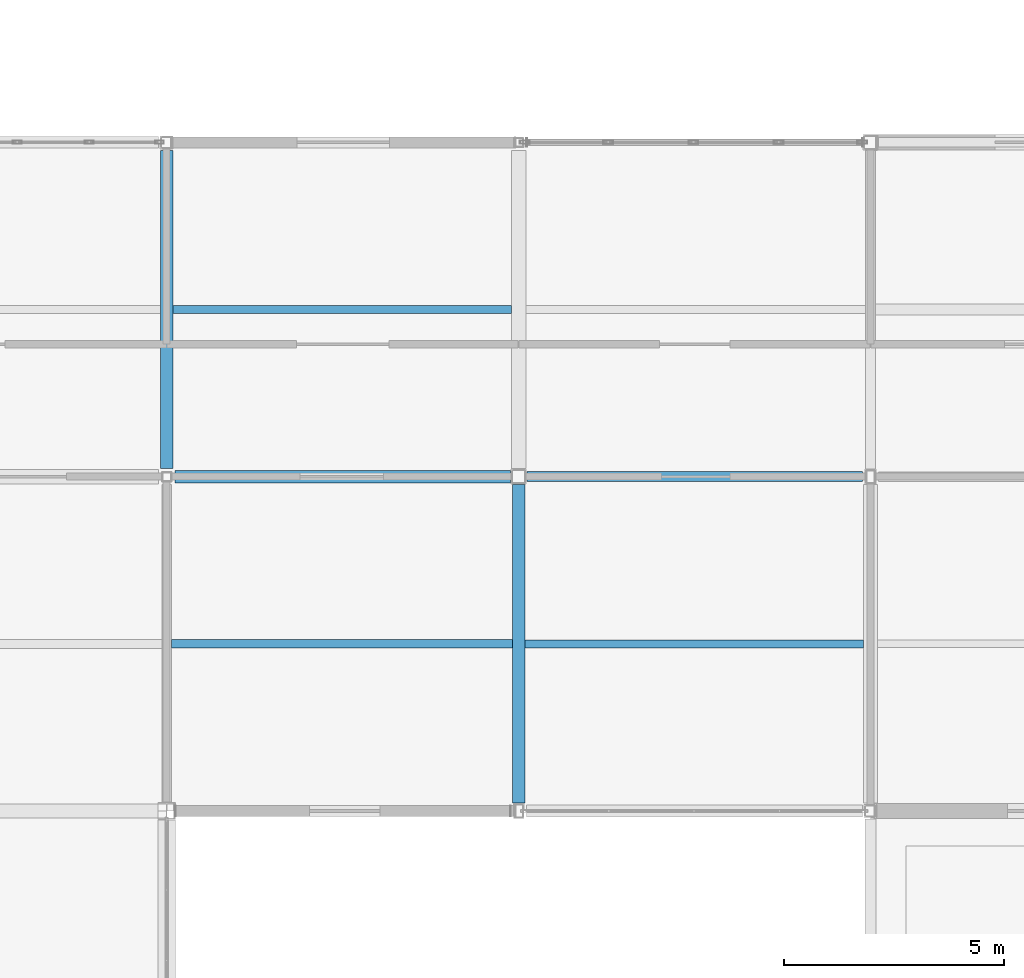
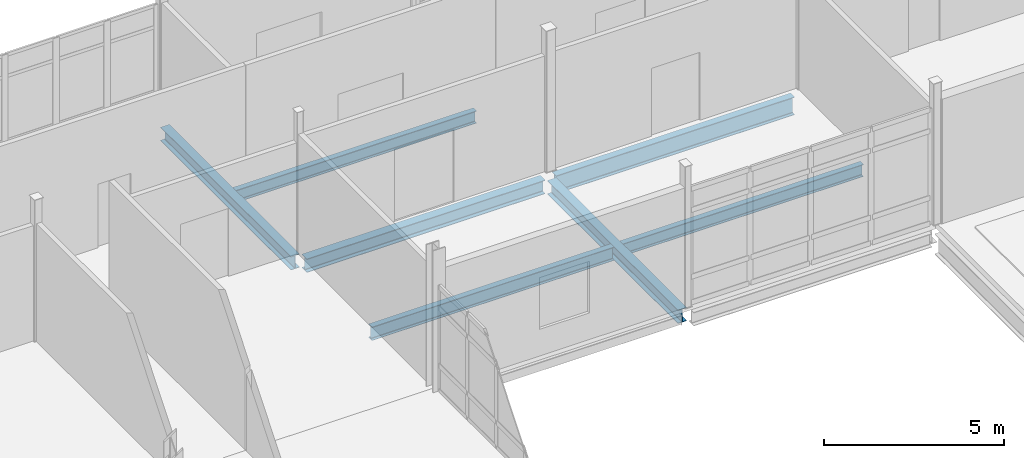
# One storey, part 63 of 186: 7 beams.
"""IFC4 building model written with IfcOpenShell, lengths in metres."""

from ifc_helpers import new_model, si_unit, direction, frame, origin, origin_2d, place, context, subcontext, project, spatial, i_section, extrude, material, material_profile, profile_set, type_object, element, save


model = new_model("IFC4")

# Units and contexts
model_context = context("Model", 3, precision=1e-05, world=origin(), true_north=direction((0.0, 1.0)))
body_context = subcontext(model_context, "Body", "Model", "MODEL_VIEW")
ifc_project = project(units=[si_unit("LENGTHUNIT", "METRE"), si_unit("AREAUNIT", "SQUARE_METRE"), si_unit("VOLUMEUNIT", "CUBIC_METRE"), si_unit("PLANEANGLEUNIT", "RADIAN"), si_unit("MASSUNIT", "GRAM", prefix="KILO")], contexts=[model_context])

# Site, building, storey
site_placement = place(None, origin())
site = spatial("IfcSite", under=ifc_project, at=site_placement, CompositionType="ELEMENT")
building_placement = place(site_placement, origin())
building = spatial("IfcBuilding", under=site, at=building_placement, Name="Calvrana Isthmian Art Gallery", CompositionType="ELEMENT")
storey_placement = place(building_placement, frame((0.0, 0.0, 5.39990234375)))
storey = spatial("IfcBuildingStorey", under=building, at=storey_placement, Name="L01", CompositionType="ELEMENT", Elevation=5.39990234375)

# Beams
ifc_material = material(Name="Steel ASTM A992 Gr 50", Category="steel")
ifc_material_profile_1 = material_profile(ifc_material, i_section(OverallWidth=0.279052734375, OverallDepth=0.4619140625, WebThickness=0.0107421875, FlangeThickness=0.017333984375, FilletRadius=0.02001953125, at=origin_2d()), Name="W18X76")
ifc_profile_set_1 = profile_set([ifc_material_profile_1], Name="Steel ASTM A992 Gr 50")
beam_type_1 = type_object("IfcBeamType", Name="BM-G-W18X76", PredefinedType="BEAM", material=ifc_profile_set_1)
beam_1_placement = place(storey_placement, frame((80.58642578125, 54.39990234375, -0.475830078125), z_axis=(1.0, 0.0, 0.0), x_axis=(0.0, 1.0, 0.0)))
element("IfcBeam", 1, at=beam_1_placement, inside=storey, type_object=beam_type_1, Name="Girder X L01 11-12/H", PredefinedType="BEAM", context=body_context, shape_type="SweptSolid", body=[
    extrude(i_section(OverallWidth=0.279052734375, OverallDepth=0.4619140625, WebThickness=0.0107421875, FlangeThickness=0.017333984375, FilletRadius=0.02001953125, at=origin_2d()), origin(), (0.0, 0.0, 1.0), 7.628173828125),
])
beam_2_placement = place(storey_placement, frame((80.39990234375, 54.583984375, -0.475830078125), z_axis=(0.0, 1.0, 0.0), x_axis=(-1.0, 0.0, 0.0)))
element("IfcBeam", 2, at=beam_2_placement, inside=storey, type_object=beam_type_1, Name="Girder Y L01 11/H-I", PredefinedType="BEAM", context=body_context, shape_type="SweptSolid", body=[
    extrude(i_section(OverallWidth=0.279052734375, OverallDepth=0.4619140625, WebThickness=0.0107421875, FlangeThickness=0.017333984375, FilletRadius=0.02001953125, at=origin_2d()), origin(), (0.0, 0.0, 1.0), 7.2294921875),
])
beam_3_placement = place(storey_placement, frame((88.39990234375, 46.97802734375, -0.475830078125), z_axis=(0.0, 1.0, 0.0), x_axis=(-1.0, 0.0, 0.0)))
element("IfcBeam", 3, at=beam_3_placement, inside=storey, type_object=beam_type_1, Name="Girder Y L01 12/G-H", PredefinedType="BEAM", context=body_context, shape_type="SweptSolid", body=[
    extrude(i_section(OverallWidth=0.279052734375, OverallDepth=0.4619140625, WebThickness=0.0107421875, FlangeThickness=0.017333984375, FilletRadius=0.02001953125, at=origin_2d()), origin(), (0.0, 0.0, 1.0), 7.240478515625),
])
ifc_material_profile_2 = material_profile(ifc_material, i_section(OverallWidth=0.22802734375, OverallDepth=0.60693359375, WebThickness=0.01123046875, FlangeThickness=0.017333984375, FilletRadius=0.02197265625, at=origin_2d()), Name="W24X76")
ifc_profile_set_2 = profile_set([ifc_material_profile_2], Name="Steel ASTM A992 Gr 50")
beam_type_2 = type_object("IfcBeamType", Name="BM-G-W24X76", PredefinedType="BEAM", material=ifc_profile_set_2)
beam_4_placement = place(storey_placement, frame((88.58544921875, 54.39990234375, -0.54833984375), z_axis=(1.0, 0.0, 0.0), x_axis=(0.0, 1.0, 0.0)))
element("IfcBeam", 4, at=beam_4_placement, inside=storey, type_object=beam_type_2, Name="Girder X L01 12-13/H", PredefinedType="BEAM", context=body_context, shape_type="SweptSolid", body=[
    extrude(i_section(OverallWidth=0.22802734375, OverallDepth=0.60693359375, WebThickness=0.01123046875, FlangeThickness=0.017333984375, FilletRadius=0.02197265625, at=origin_2d()), origin(), (0.0, 0.0, 1.0), 7.630615234375),
])
ifc_material_profile_3 = material_profile(ifc_material, i_section(OverallWidth=0.179931640625, OverallDepth=0.4140625, WebThickness=0.009765625, FlangeThickness=0.01611328125, FilletRadius=0.01806640625, at=origin_2d()), Name="W16X50")
ifc_profile_set_3 = profile_set([ifc_material_profile_3], Name="Steel ASTM A992 Gr 50")
beam_type_3 = type_object("IfcBeamType", Name="BM-J-W16X50", PredefinedType="JOIST", material=ifc_profile_set_3)
for number, where, z_axis, x_axis, name in (
    (5, (80.53955078125, 58.199951171875, -0.451904296875), (1.0, 0.0, 0.0), (0.0, 1.0, 0.0), "Composite joist L01 bay 10-07"),
    (6, (88.53955078125, 50.60009765625, -0.451904296875), (1.0, 0.0, 0.0), (0.0, 1.0, 0.0), "Composite joist L01 bay 11-06"),
):
    element("IfcBeam", number, at=place(storey_placement, frame(where, z_axis=z_axis, x_axis=x_axis)), inside=storey, type_object=beam_type_3, Name=name, PredefinedType="JOIST", context=body_context, shape_type="SweptSolid", body=[
        extrude(i_section(OverallWidth=0.179931640625, OverallDepth=0.4140625, WebThickness=0.009765625, FlangeThickness=0.01611328125, FilletRadius=0.01806640625, at=origin_2d()), origin(), (0.0, 0.0, 1.0), 7.697998046875),
    ])
ifc_material_profile_4 = material_profile(ifc_material, i_section(OverallWidth=0.19091796875, OverallDepth=0.45703125, WebThickness=0.009033203125, FlangeThickness=0.014404296875, FilletRadius=0.02001953125, at=origin_2d()), Name="W18X50")
ifc_profile_set_4 = profile_set([ifc_material_profile_4], Name="Steel ASTM A992 Gr 50")
beam_type_4 = type_object("IfcBeamType", Name="BM-J-W18X50", PredefinedType="JOIST", material=ifc_profile_set_4)
beam_5_placement = place(storey_placement, frame((80.50439453125, 50.60009765625, -0.473388671875), z_axis=(1.0, 0.0, 0.0), x_axis=(0.0, 1.0, 0.0)))
element("IfcBeam", 7, at=beam_5_placement, inside=storey, type_object=beam_type_4, Name="Composite joist L01 bay 10-06", PredefinedType="JOIST", context=body_context, shape_type="SweptSolid", body=[
    extrude(i_section(OverallWidth=0.19091796875, OverallDepth=0.45703125, WebThickness=0.009033203125, FlangeThickness=0.014404296875, FilletRadius=0.02001953125, at=origin_2d()), origin(), (0.0, 0.0, 1.0), 7.756103515625),
])

save(model, "model.ifc")
